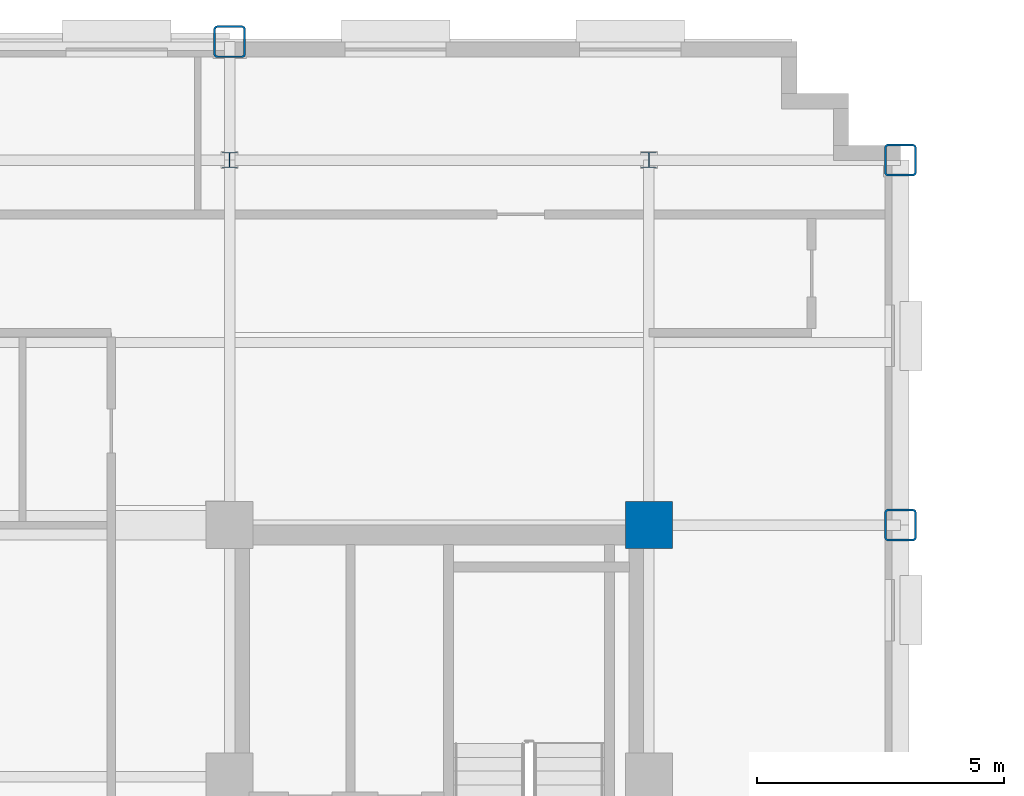
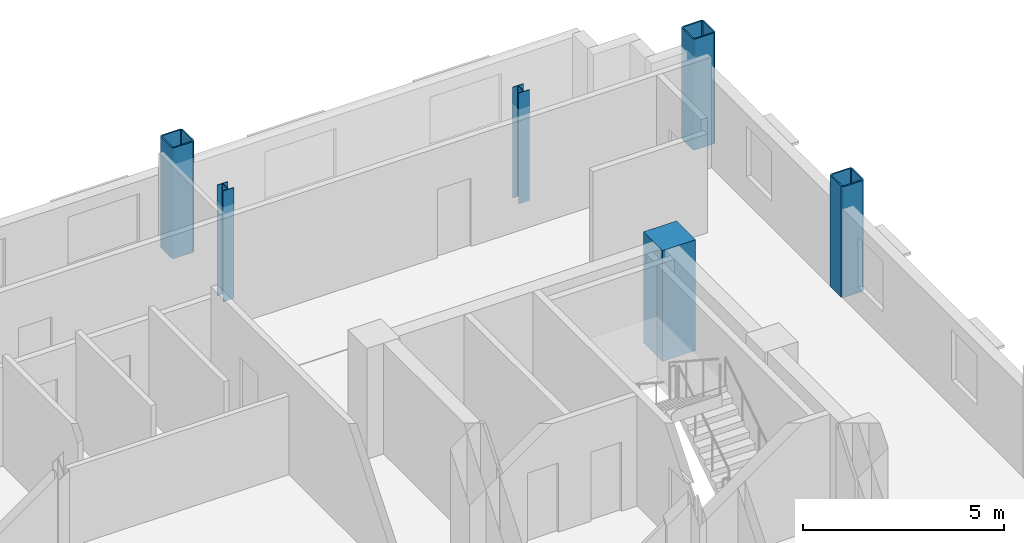
# One storey, part 4 of 14: 6 columns.
"""IFC4 building model written with IfcOpenShell, lengths in metres."""

from ifc_helpers import new_model, si_unit, direction, frame, origin, origin_2d, place, context, subcontext, project, spatial, rectangle, hollow_rectangle, i_section, extrude, material, material_profile, profile_set, type_object, element, save


model = new_model("IFC4")

# Units and contexts
model_context = context("Model", 3, precision=1e-05, world=origin(), true_north=direction((0.0, 1.0)))
body_context = subcontext(model_context, "Body", "Model", "MODEL_VIEW")
ifc_project = project(units=[si_unit("LENGTHUNIT", "METRE"), si_unit("AREAUNIT", "SQUARE_METRE"), si_unit("VOLUMEUNIT", "CUBIC_METRE"), si_unit("PLANEANGLEUNIT", "RADIAN"), si_unit("MASSUNIT", "GRAM", prefix="KILO")], contexts=[model_context])

# Site, building, storey
site_placement = place(None, origin())
site = spatial("IfcSite", under=ifc_project, at=site_placement, CompositionType="ELEMENT")
building_placement = place(site_placement, origin())
building = spatial("IfcBuilding", under=site, at=building_placement, Name="Nuvemarco Arch Tower", CompositionType="ELEMENT")
storey_placement = place(building_placement, frame((0.0, 0.0, 171.300048828125)))
storey = spatial("IfcBuildingStorey", under=building, at=storey_placement, Name="L45", CompositionType="ELEMENT", Elevation=171.300048828125)

# Columns
ifc_material_1 = material(Name="Concrete C50/60", Category="concrete")
ifc_material_profile_1 = material_profile(ifc_material_1, rectangle(XDim=0.949951171875, YDim=0.949951171875, at=origin_2d()), Name="RC-COL-950x950")
ifc_profile_set_1 = profile_set([ifc_material_profile_1], Name="Concrete C50/60")
column_type_1 = type_object("IfcColumnType", Name="COL-CORE-950", PredefinedType="COLUMN", material=ifc_profile_set_1)
column_placement = place(storey_placement, frame((17.5, 9.60009765625, 0.0), z_axis=(0.0, 0.0, 1.0), x_axis=(1.0, 0.0, 0.0)))
element("IfcColumn", 1, at=column_placement, inside=storey, type_object=column_type_1, Name="L45 column CC_+17.5_+9.6", PredefinedType="COLUMN", context=body_context, shape_type="SweptSolid", body=[
    extrude(rectangle(XDim=0.949951171875, YDim=0.949951171875, at=origin_2d()), origin(), (0.0, 0.0, 1.0), 3.369873046875),
])
ifc_material_2 = material(Name="Steel S355", Category="steel")
ifc_material_profile_2 = material_profile(ifc_material_2, hollow_rectangle(XDim=0.64990234375, YDim=0.64990234375, WallThickness=0.0400390625, InnerFilletRadius=0.0400390625, OuterFilletRadius=0.080078125, at=origin_2d()), Name="SHS650x650x40")
ifc_profile_set_2 = profile_set([ifc_material_profile_2], Name="Steel S355")
column_type_2 = type_object("IfcColumnType", Name="COL-EXO-650", PredefinedType="COLUMN", material=ifc_profile_set_2)
for number, where, z_axis, x_axis, name in (
    (2, (22.60009765625, 9.60009765625, 0.0), (0.0, 0.0, 1.0), (1.0, 0.0, 0.0), "L45 column CX_+22.6_+9.6"),
    (3, (22.60009765625, 17.0, 0.0), (0.0, 0.0, 1.0), (1.0, 0.0, 0.0), "L45 column CX_+22.6_+17.0"),
    (4, (9.0, 19.39990234375, 0.0), (0.0, 0.0, 1.0), (1.0, 0.0, 0.0), "L45 column CY_+9.0_+19.4"),
):
    element("IfcColumn", number, at=place(storey_placement, frame(where, z_axis=z_axis, x_axis=x_axis)), inside=storey, type_object=column_type_2, Name=name, PredefinedType="COLUMN", context=body_context, shape_type="SweptSolid", body=[
        extrude(hollow_rectangle(XDim=0.64990234375, YDim=0.64990234375, WallThickness=0.0400390625, InnerFilletRadius=0.0400390625, OuterFilletRadius=0.080078125, at=origin_2d()), origin(), (0.0, 0.0, 1.0), 3.369873046875),
    ])
ifc_material_profile_3 = material_profile(ifc_material_2, i_section(OverallWidth=0.31005859375, OverallDepth=0.31005859375, WebThickness=0.015380859375, FlangeThickness=0.015380859375, FilletRadius=0.014892578125, at=origin_2d()), Name="HP310x110")
ifc_profile_set_3 = profile_set([ifc_material_profile_3], Name="Steel S355")
column_type_3 = type_object("IfcColumnType", Name="COL-STL-HP310", PredefinedType="COLUMN", material=ifc_profile_set_3)
for number, where, z_axis, x_axis, name in (
    (5, (9.0, 17.0, 0.0), (0.0, 0.0, 1.0), (1.0, 0.0, 0.0), "L45 column CI_+9.0_+17.0"),
    (6, (17.5, 17.0, 0.0), (0.0, 0.0, 1.0), (1.0, 0.0, 0.0), "L45 column CI_+17.5_+17.0"),
):
    element("IfcColumn", number, at=place(storey_placement, frame(where, z_axis=z_axis, x_axis=x_axis)), inside=storey, type_object=column_type_3, Name=name, PredefinedType="COLUMN", context=body_context, shape_type="SweptSolid", body=[
        extrude(i_section(OverallWidth=0.31005859375, OverallDepth=0.31005859375, WebThickness=0.015380859375, FlangeThickness=0.015380859375, FilletRadius=0.014892578125, at=origin_2d()), origin(), (0.0, 0.0, 1.0), 3.369873046875),
    ])

save(model, "model.ifc")
